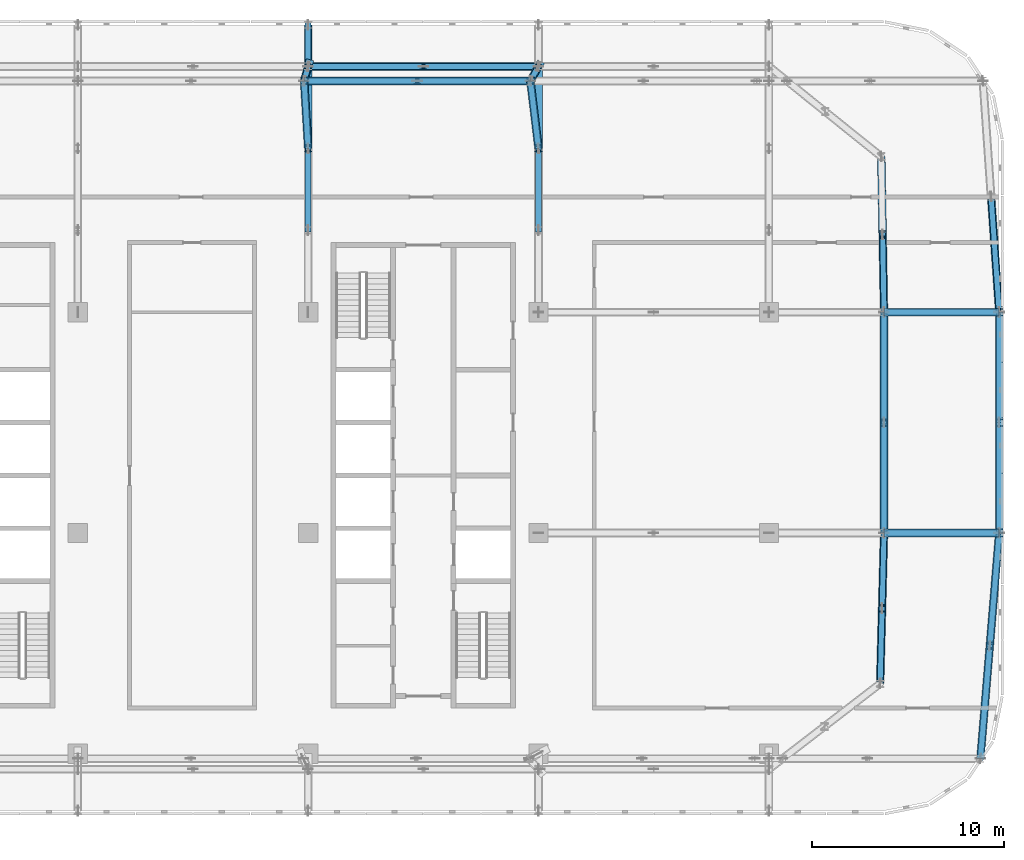
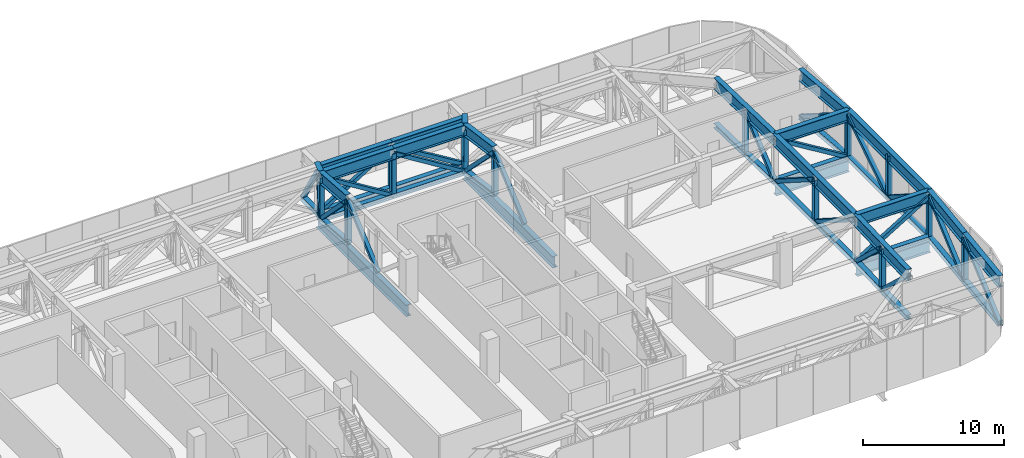
# One storey, part 10 of 29: 68 members, 4 beams.
"""IFC4 building model written with IfcOpenShell, lengths in metres."""

from ifc_helpers import new_model, si_unit, direction, frame, origin, origin_2d, place, context, subcontext, project, spatial, hollow_rectangle, i_section, extrude, material, material_profile, profile_set, type_object, element, save


model = new_model("IFC4")

# Units and contexts
model_context = context("Model", 3, precision=1e-05, world=origin(), true_north=direction((0.0, 1.0)))
body_context = subcontext(model_context, "Body", "Model", "MODEL_VIEW")
ifc_project = project(units=[si_unit("LENGTHUNIT", "METRE"), si_unit("AREAUNIT", "SQUARE_METRE"), si_unit("VOLUMEUNIT", "CUBIC_METRE"), si_unit("PLANEANGLEUNIT", "RADIAN"), si_unit("MASSUNIT", "GRAM", prefix="KILO")], contexts=[model_context])

# Site, building, storey
site_placement = place(None, origin())
site = spatial("IfcSite", under=ifc_project, at=site_placement, CompositionType="ELEMENT")
building_placement = place(site_placement, origin())
building = spatial("IfcBuilding", under=site, at=building_placement, Name="Mahtab Terrace Research Tower", CompositionType="ELEMENT")
storey_placement = place(building_placement, frame((0.0, 0.0, 259.0)))
storey = spatial("IfcBuildingStorey", under=building, at=storey_placement, Name="L63", CompositionType="ELEMENT", Elevation=259.0)

# Members
ifc_material_1 = material(Name="Steel ASTM A500 Gr C", Category="steel")
ifc_material_profile_1 = material_profile(ifc_material_1, hollow_rectangle(XDim=0.3046875, YDim=0.3046875, WallThickness=0.0126953125, at=origin_2d()), Name="HSS12X12X1/2")
ifc_profile_set_1 = profile_set([ifc_material_profile_1], Name="Steel ASTM A500 Gr C")
member_type_1 = type_object("IfcMemberType", Name="HSS 12x12x1/2 brace TD121212", PredefinedType="BRACE", material=ifc_profile_set_1)
member_1_placement = place(storey_placement, frame((18.0, 15.76904296875, -0.19677734375), z_axis=(0.0, 0.759492630748, 0.650515905908), x_axis=(-1.0, 0.0, 0.0)))
element("IfcMember", 1, at=member_1_placement, inside=storey, type_object=member_type_1, Name="Transfer truss T7 diagonal 097", PredefinedType="BRACE", context=body_context, shape_type="SweptSolid", body=[
    extrude(hollow_rectangle(XDim=0.3046875, YDim=0.3046875, WallThickness=0.0126953125, at=origin_2d()), origin(), (0.0, 0.0, 1.0), 5.620849609375),
])
member_2_placement = place(storey_placement, frame((17.7880859375, 23.5458984375, -0.19677734375), z_axis=(0.041785694592, -0.691678410025, 0.720995792521), x_axis=(0.998180173249, 0.060302087304, 0.0)))
element("IfcMember", 2, at=member_2_placement, inside=storey, type_object=member_type_1, Name="Transfer truss T7 diagonal 098", PredefinedType="BRACE", context=body_context, shape_type="SweptSolid", body=[
    extrude(hollow_rectangle(XDim=0.3046875, YDim=0.3046875, WallThickness=0.0126953125, at=origin_2d()), origin(), (0.0, 0.0, 1.0), 5.071533203125),
])
member_3_placement = place(storey_placement, frame((17.7880859375, 23.5458984375, -0.19677734375), z_axis=(0.056648642505, 0.203426058398, 0.97745013687), x_axis=(-0.963345024228, 0.268265473542, 0.0)))
element("IfcMember", 3, at=member_3_placement, inside=storey, type_object=member_type_1, Name="Transfer truss T7 diagonal 099", PredefinedType="BRACE", context=body_context, shape_type="SweptSolid", body=[
    extrude(hollow_rectangle(XDim=0.3046875, YDim=0.3046875, WallThickness=0.0126953125, at=origin_2d()), origin(), (0.0, 0.0, 1.0), 3.740966796875),
])
member_4_placement = place(storey_placement, frame((23.68310546875, 23.5458984375, -0.19677734375), z_axis=(-0.849800540202, 0.0, 0.527104393714), x_axis=(0.0, -1.0, 0.0)))
element("IfcMember", 4, at=member_4_placement, inside=storey, type_object=member_type_1, Name="Transfer truss T7 diagonal 100", PredefinedType="BRACE", context=body_context, shape_type="SweptSolid", body=[
    extrude(hollow_rectangle(XDim=0.3046875, YDim=0.3046875, WallThickness=0.0126953125, at=origin_2d()), origin(), (0.0, 0.0, 1.0), 6.93701171875),
])
member_5_placement = place(storey_placement, frame((18.0, 26.472900390625, -0.19677734375), z_axis=(0.0, -0.50966381265, 0.860373638645), x_axis=(1.0, 0.0, 0.0)))
element("IfcMember", 5, at=member_5_placement, inside=storey, type_object=member_type_1, Name="Transfer truss T7 diagonal 102", PredefinedType="BRACE", context=body_context, shape_type="SweptSolid", body=[
    extrude(hollow_rectangle(XDim=0.3046875, YDim=0.3046875, WallThickness=0.0126953125, at=origin_2d()), origin(), (0.0, 0.0, 1.0), 4.25),
])
member_6_placement = place(storey_placement, frame((29.576904296875, 23.5458984375, -0.19677734375), z_axis=(-0.849751637539, 0.0, 0.527183226686), x_axis=(0.0, -1.0, 0.0)))
element("IfcMember", 6, at=member_6_placement, inside=storey, type_object=member_type_1, Name="Transfer truss T7 diagonal 104", PredefinedType="BRACE", context=body_context, shape_type="SweptSolid", body=[
    extrude(hollow_rectangle(XDim=0.3046875, YDim=0.3046875, WallThickness=0.0126953125, at=origin_2d()), origin(), (0.0, 0.0, 1.0), 6.935791015625),
])
member_7_placement = place(storey_placement, frame((18.0, 24.306884765625, -0.19677734375), z_axis=(0.853925355754, 0.0, 0.520395509974), x_axis=(0.0, 1.0, 0.0)))
element("IfcMember", 7, at=member_7_placement, inside=storey, type_object=member_type_1, Name="Transfer truss T7 diagonal 106", PredefinedType="BRACE", context=body_context, shape_type="SweptSolid", body=[
    extrude(hollow_rectangle(XDim=0.3046875, YDim=0.3046875, WallThickness=0.0126953125, at=origin_2d()), origin(), (0.0, 0.0, 1.0), 7.0263671875),
])
member_8_placement = place(storey_placement, frame((30.0, 15.76904296875, -0.19677734375), z_axis=(0.0, 0.759492630748, 0.650515905908), x_axis=(-1.0, 0.0, 0.0)))
element("IfcMember", 8, at=member_8_placement, inside=storey, type_object=member_type_1, Name="Transfer truss T7 diagonal 115", PredefinedType="BRACE", context=body_context, shape_type="SweptSolid", body=[
    extrude(hollow_rectangle(XDim=0.3046875, YDim=0.3046875, WallThickness=0.0126953125, at=origin_2d()), origin(), (0.0, 0.0, 1.0), 5.620849609375),
])
member_9_placement = place(storey_placement, frame((29.576904296875, 23.5458984375, -0.19677734375), z_axis=(0.083210320693, -0.689882220263, 0.719123469716), x_axis=(0.99280439694, 0.119747356619, 0.0)))
element("IfcMember", 9, at=member_9_placement, inside=storey, type_object=member_type_1, Name="Transfer truss T7 diagonal 116", PredefinedType="BRACE", context=body_context, shape_type="SweptSolid", body=[
    extrude(hollow_rectangle(XDim=0.3046875, YDim=0.3046875, WallThickness=0.0126953125, at=origin_2d()), origin(), (0.0, 0.0, 1.0), 5.084716796875),
])
member_10_placement = place(storey_placement, frame((29.576904296875, 23.5458984375, -0.19677734375), z_axis=(0.112563439792, 0.202458304577, 0.972800137197), x_axis=(-0.873998513962, 0.485928593101, 0.0)))
element("IfcMember", 10, at=member_10_placement, inside=storey, type_object=member_type_1, Name="Transfer truss T7 diagonal 117", PredefinedType="BRACE", context=body_context, shape_type="SweptSolid", body=[
    extrude(hollow_rectangle(XDim=0.3046875, YDim=0.3046875, WallThickness=0.0126953125, at=origin_2d()), origin(), (0.0, 0.0, 1.0), 3.7587890625),
])
member_11_placement = place(storey_placement, frame((30.0, 24.306884765625, -0.19677734375), z_axis=(-0.853925355754, 0.0, 0.520395509974), x_axis=(0.0, -1.0, 0.0)))
element("IfcMember", 11, at=member_11_placement, inside=storey, type_object=member_type_1, Name="Transfer truss T7 diagonal 119", PredefinedType="BRACE", context=body_context, shape_type="SweptSolid", body=[
    extrude(hollow_rectangle(XDim=0.3046875, YDim=0.3046875, WallThickness=0.0126953125, at=origin_2d()), origin(), (0.0, 0.0, 1.0), 7.0263671875),
])
member_12_placement = place(storey_placement, frame((47.89892578125, -3.924072265625, -0.19677734375), z_axis=(-0.018796231783, -0.73146013853, 0.681625093004), x_axis=(0.99966999901, -0.025688384121, 0.0)))
element("IfcMember", 12, at=member_12_placement, inside=storey, type_object=member_type_1, Name="Transfer truss T7 diagonal 150", PredefinedType="BRACE", context=body_context, shape_type="SweptSolid", body=[
    extrude(hollow_rectangle(XDim=0.3046875, YDim=0.3046875, WallThickness=0.0126953125, at=origin_2d()), origin(), (0.0, 0.0, 1.0), 5.3642578125),
])
member_13_placement = place(storey_placement, frame((48.0, 0.0, -0.19677734375), z_axis=(-0.018841099878, -0.7314806723, 0.681601818518), x_axis=(0.999668441044, -0.025748941367, 0.0)))
element("IfcMember", 13, at=member_13_placement, inside=storey, type_object=member_type_1, Name="Transfer truss T7 diagonal 152", PredefinedType="BRACE", context=body_context, shape_type="SweptSolid", body=[
    extrude(hollow_rectangle(XDim=0.3046875, YDim=0.3046875, WallThickness=0.0126953125, at=origin_2d()), origin(), (0.0, 0.0, 1.0), 5.364501953125),
])
member_14_placement = place(storey_placement, frame((48.0, 5.75, -0.19677734375), z_axis=(0.0, -0.843834053446, 0.536604221232), x_axis=(1.0, 0.0, 0.0)))
element("IfcMember", 14, at=member_14_placement, inside=storey, type_object=member_type_1, Name="Transfer truss T7 diagonal 154", PredefinedType="BRACE", context=body_context, shape_type="SweptSolid", body=[
    extrude(hollow_rectangle(XDim=0.3046875, YDim=0.3046875, WallThickness=0.0126953125, at=origin_2d()), origin(), (0.0, 0.0, 1.0), 6.814208984375),
])
member_15_placement = place(storey_placement, frame((48.0, 0.0, -0.19677734375), z_axis=(0.853925355754, 0.0, 0.520395509974), x_axis=(0.0, 1.0, 0.0)))
element("IfcMember", 15, at=member_15_placement, inside=storey, type_object=member_type_1, Name="Transfer truss T7 diagonal 155", PredefinedType="BRACE", context=body_context, shape_type="SweptSolid", body=[
    extrude(hollow_rectangle(XDim=0.3046875, YDim=0.3046875, WallThickness=0.0126953125, at=origin_2d()), origin(), (0.0, 0.0, 1.0), 7.0263671875),
])
member_16_placement = place(storey_placement, frame((48.0, 11.5, -0.19677734375), z_axis=(0.0, -0.843834053446, 0.536604221232), x_axis=(1.0, 0.0, 0.0)))
element("IfcMember", 16, at=member_16_placement, inside=storey, type_object=member_type_1, Name="Transfer truss T7 diagonal 156", PredefinedType="BRACE", context=body_context, shape_type="SweptSolid", body=[
    extrude(hollow_rectangle(XDim=0.3046875, YDim=0.3046875, WallThickness=0.0126953125, at=origin_2d()), origin(), (0.0, 0.0, 1.0), 6.814208984375),
])
member_17_placement = place(storey_placement, frame((48.0, 11.5, -0.19677734375), z_axis=(-0.013192923036, 0.742426153651, 0.669797994291), x_axis=(-0.999842150686, -0.01776720887, 0.0)))
element("IfcMember", 17, at=member_17_placement, inside=storey, type_object=member_type_1, Name="Transfer truss T7 diagonal 157", PredefinedType="BRACE", context=body_context, shape_type="SweptSolid", body=[
    extrude(hollow_rectangle(XDim=0.3046875, YDim=0.3046875, WallThickness=0.0126953125, at=origin_2d()), origin(), (0.0, 0.0, 1.0), 5.458984375),
])
member_18_placement = place(storey_placement, frame((54.0, 11.5, -0.19677734375), z_axis=(-0.853925355754, 0.0, 0.520395509974), x_axis=(0.0, -1.0, 0.0)))
element("IfcMember", 18, at=member_18_placement, inside=storey, type_object=member_type_1, Name="Transfer truss T7 diagonal 158", PredefinedType="BRACE", context=body_context, shape_type="SweptSolid", body=[
    extrude(hollow_rectangle(XDim=0.3046875, YDim=0.3046875, WallThickness=0.0126953125, at=origin_2d()), origin(), (0.0, 0.0, 1.0), 7.0263671875),
])
member_19_placement = place(storey_placement, frame((53.02099609375, -11.758056640625, -0.19677734375), z_axis=(0.070595829546, 0.847044430138, 0.526813023968), x_axis=(-0.996544901991, 0.083055754258, 0.0)))
element("IfcMember", 19, at=member_19_placement, inside=storey, type_object=member_type_1, Name="Transfer truss T7 diagonal 160", PredefinedType="BRACE", context=body_context, shape_type="SweptSolid", body=[
    extrude(hollow_rectangle(XDim=0.3046875, YDim=0.3046875, WallThickness=0.0126953125, at=origin_2d()), origin(), (0.0, 0.0, 1.0), 6.940673828125),
])
member_20_placement = place(storey_placement, frame((53.576904296875, 17.52294921875, -0.19677734375), z_axis=(0.059939828854, -0.853269231296, 0.518014320111), x_axis=(0.997541755211, 0.070074578913, 0.0)))
element("IfcMember", 20, at=member_20_placement, inside=storey, type_object=member_type_1, Name="Transfer truss T7 diagonal 161", PredefinedType="BRACE", context=body_context, shape_type="SweptSolid", body=[
    extrude(hollow_rectangle(XDim=0.3046875, YDim=0.3046875, WallThickness=0.0126953125, at=origin_2d()), origin(), (0.0, 0.0, 1.0), 7.05859375),
])
member_21_placement = place(storey_placement, frame((53.510986328125, -5.87890625, -0.19677734375), z_axis=(0.070457928759, 0.847042897906, 0.526833948585), x_axis=(-0.996558305152, 0.082894779287, 0.0)))
element("IfcMember", 21, at=member_21_placement, inside=storey, type_object=member_type_1, Name="Transfer truss T7 diagonal 162", PredefinedType="BRACE", context=body_context, shape_type="SweptSolid", body=[
    extrude(hollow_rectangle(XDim=0.3046875, YDim=0.3046875, WallThickness=0.0126953125, at=origin_2d()), origin(), (0.0, 0.0, 1.0), 6.9404296875),
])
for number, where, z_axis, x_axis, name in (
    (22, (54.0, 5.75, -0.19677734375), (0.0, -0.843834053446, 0.536604221232), (1.0, 0.0, 0.0), "Transfer truss T7 diagonal 163"),
    (23, (54.0, 5.75, -0.19677734375), (0.0, 0.843834053446, 0.536604221232), (-1.0, 0.0, 0.0), "Transfer truss T7 diagonal 164"),
):
    element("IfcMember", number, at=place(storey_placement, frame(where, z_axis=z_axis, x_axis=x_axis)), inside=storey, type_object=member_type_1, Name=name, PredefinedType="BRACE", context=body_context, shape_type="SweptSolid", body=[
        extrude(hollow_rectangle(XDim=0.3046875, YDim=0.3046875, WallThickness=0.0126953125, at=origin_2d()), origin(), (0.0, 0.0, 1.0), 6.814208984375),
    ])
ifc_material_2 = material(Name="Steel ASTM A992 Gr 50", Category="steel")
ifc_material_profile_2 = material_profile(ifc_material_2, i_section(OverallWidth=0.373291015625, OverallDepth=0.373291015625, WebThickness=0.016357421875, FlangeThickness=0.026123046875, at=origin_2d()), Name="W14X132")
ifc_profile_set_2 = profile_set([ifc_material_profile_2], Name="Steel ASTM A992 Gr 50")
member_type_2 = type_object("IfcMemberType", Name="W14x132 post TP14132", PredefinedType="POST", material=ifc_profile_set_2)
for number, where, z_axis, x_axis, name in (
    (24, (17.7900390625, 23.550048828125, -0.19677734375), (0.0, 0.0, 1.0), (1.0, 0.0, 0.0), "Transfer truss T7 post 083"),
    (25, (18.0, 20.0400390625, -0.19677734375), (0.0, 0.0, 1.0), (1.0, 0.0, 0.0), "Transfer truss T7 post 088"),
    (26, (23.679931640625, 23.550048828125, -0.19677734375), (0.0, 0.0, 1.0), (1.0, 0.0, 0.0), "Transfer truss T7 post 092"),
    (27, (24.0, 24.31005859375, -0.19677734375), (0.0, 0.0, 1.0), (1.0, 0.0, 0.0), "Transfer truss T7 post 094"),
    (28, (29.580078125, 23.550048828125, -0.19677734375), (0.0, 0.0, 1.0), (1.0, 0.0, 0.0), "Transfer truss T7 post 096"),
    (29, (30.0, 20.0400390625, -0.19677734375), (0.0, 0.0, 1.0), (1.0, 0.0, 0.0), "Transfer truss T7 post 103"),
    (30, (47.89990234375, -3.919921875, -0.19677734375), (0.0, 0.0, 1.0), (1.0, 0.0, 0.0), "Transfer truss T7 post 132"),
    (31, (47.929931640625, 15.550048828125, -0.19677734375), (0.0, 0.0, 1.0), (1.0, 0.0, 0.0), "Transfer truss T7 post 133"),
    (32, (48.0, 5.75, -0.19677734375), (0.0, 0.0, 1.0), (1.0, 0.0, 0.0), "Transfer truss T7 post 135"),
    (33, (53.510009765625, -5.8798828125, -0.19677734375), (0.0, 0.0, 1.0), (1.0, 0.0, 0.0), "Transfer truss T7 post 139"),
    (34, (54.0, 0.0, -0.19677734375), (0.0, 0.0, 1.0), (1.0, 0.0, 0.0), "Transfer truss T7 post 141"),
    (35, (54.0, 5.75, -0.19677734375), (0.0, 0.0, 1.0), (1.0, 0.0, 0.0), "Transfer truss T7 post 142"),
    (36, (54.0, 11.5, -0.19677734375), (0.0, 0.0, 1.0), (1.0, 0.0, 0.0), "Transfer truss T7 post 143"),
):
    element("IfcMember", number, at=place(storey_placement, frame(where, z_axis=z_axis, x_axis=x_axis)), inside=storey, type_object=member_type_2, Name=name, PredefinedType="POST", context=body_context, shape_type="SweptSolid", body=[
        extrude(i_section(OverallWidth=0.373291015625, OverallDepth=0.373291015625, WebThickness=0.016357421875, FlangeThickness=0.026123046875, at=origin_2d()), origin(), (0.0, 0.0, 1.0), 3.656494140625),
    ])
ifc_material_profile_3 = material_profile(ifc_material_2, i_section(OverallWidth=0.40380859375, OverallDepth=0.406494140625, WebThickness=0.027099609375, FlangeThickness=0.043701171875, at=origin_2d()), Name="W14X233")
ifc_profile_set_3 = profile_set([ifc_material_profile_3], Name="Steel ASTM A992 Gr 50")
member_type_3 = type_object("IfcMemberType", Name="W14x233 chord TC14233", PredefinedType="CHORD", material=ifc_profile_set_3)
member_22_placement = place(storey_placement, frame((30.0, 24.306884765625, -0.19677734375), z_axis=(-1.0, 0.0, 0.0), x_axis=(0.0, -1.0, 0.0)))
element("IfcMember", 37, at=member_22_placement, inside=storey, type_object=member_type_3, Name="Transfer truss T7 bottom chord 011", PredefinedType="CHORD", context=body_context, shape_type="SweptSolid", body=[
    extrude(i_section(OverallWidth=0.40380859375, OverallDepth=0.406494140625, WebThickness=0.027099609375, FlangeThickness=0.043701171875, at=origin_2d()), origin(), (0.0, 0.0, 1.0), 12.0),
])
member_23_placement = place(storey_placement, frame((17.7880859375, 23.5458984375, -0.19677734375), z_axis=(1.0, 0.0, 0.0), x_axis=(0.0, 1.0, 0.0)))
element("IfcMember", 38, at=member_23_placement, inside=storey, type_object=member_type_3, Name="Transfer truss T7 bottom chord 032", PredefinedType="CHORD", context=body_context, shape_type="SweptSolid", body=[
    extrude(i_section(OverallWidth=0.40380859375, OverallDepth=0.406494140625, WebThickness=0.027099609375, FlangeThickness=0.043701171875, at=origin_2d()), origin(), (0.0, 0.0, 1.0), 11.788818359375),
])
member_24_placement = place(storey_placement, frame((18.0, 20.0380859375, -0.19677734375), z_axis=(-0.060302087304, 0.998180173249, 0.0), x_axis=(-0.998180173249, -0.060302087304, 0.0)))
element("IfcMember", 39, at=member_24_placement, inside=storey, type_object=member_type_3, Name="Transfer truss T7 bottom chord 065", PredefinedType="CHORD", context=body_context, shape_type="SweptSolid", body=[
    extrude(i_section(OverallWidth=0.40380859375, OverallDepth=0.406494140625, WebThickness=0.027099609375, FlangeThickness=0.043701171875, at=origin_2d()), origin(), (0.0, 0.0, 1.0), 3.51416015625),
])
member_25_placement = place(storey_placement, frame((17.7880859375, 23.5458984375, -0.19677734375), z_axis=(0.268265473542, 0.963345024228, 0.0), x_axis=(-0.963345024228, 0.268265473542, 0.0)))
element("IfcMember", 40, at=member_25_placement, inside=storey, type_object=member_type_3, Name="Transfer truss T7 bottom chord 066", PredefinedType="CHORD", context=body_context, shape_type="SweptSolid", body=[
    extrude(i_section(OverallWidth=0.40380859375, OverallDepth=0.406494140625, WebThickness=0.027099609375, FlangeThickness=0.043701171875, at=origin_2d()), origin(), (0.0, 0.0, 1.0), 0.7900390625),
])
member_26_placement = place(storey_placement, frame((18.0, 24.306884765625, -0.19677734375), z_axis=(0.0, 1.0, 0.0), x_axis=(-1.0, 0.0, 0.0)))
element("IfcMember", 41, at=member_26_placement, inside=storey, type_object=member_type_3, Name="Transfer truss T7 bottom chord 069", PredefinedType="CHORD", context=body_context, shape_type="SweptSolid", body=[
    extrude(i_section(OverallWidth=0.40380859375, OverallDepth=0.406494140625, WebThickness=0.027099609375, FlangeThickness=0.043701171875, at=origin_2d()), origin(), (0.0, 0.0, 1.0), 2.166015625),
])
member_27_placement = place(storey_placement, frame((30.0, 20.0380859375, -0.19677734375), z_axis=(-0.119747356619, 0.99280439694, 0.0), x_axis=(-0.99280439694, -0.119747356619, 0.0)))
element("IfcMember", 42, at=member_27_placement, inside=storey, type_object=member_type_3, Name="Transfer truss T7 bottom chord 072", PredefinedType="CHORD", context=body_context, shape_type="SweptSolid", body=[
    extrude(i_section(OverallWidth=0.40380859375, OverallDepth=0.406494140625, WebThickness=0.027099609375, FlangeThickness=0.043701171875, at=origin_2d()), origin(), (0.0, 0.0, 1.0), 3.533203125),
])
member_28_placement = place(storey_placement, frame((29.576904296875, 23.5458984375, -0.19677734375), z_axis=(0.485928593101, 0.873998513962, 0.0), x_axis=(-0.873998513962, 0.485928593101, 0.0)))
element("IfcMember", 43, at=member_28_placement, inside=storey, type_object=member_type_3, Name="Transfer truss T7 bottom chord 073", PredefinedType="CHORD", context=body_context, shape_type="SweptSolid", body=[
    extrude(i_section(OverallWidth=0.40380859375, OverallDepth=0.406494140625, WebThickness=0.027099609375, FlangeThickness=0.043701171875, at=origin_2d()), origin(), (0.0, 0.0, 1.0), 0.87060546875),
])
for number, where, z_axis, x_axis, name in (
    (44, (48.0, 0.0, -0.19677734375), (1.0, 0.0, 0.0), (0.0, 1.0, 0.0), "Transfer truss T7 bottom chord 077"),
    (45, (48.0, 11.5, -0.19677734375), (1.0, 0.0, 0.0), (0.0, 1.0, 0.0), "Transfer truss T7 bottom chord 081"),
):
    element("IfcMember", number, at=place(storey_placement, frame(where, z_axis=z_axis, x_axis=x_axis)), inside=storey, type_object=member_type_3, Name=name, PredefinedType="CHORD", context=body_context, shape_type="SweptSolid", body=[
        extrude(i_section(OverallWidth=0.40380859375, OverallDepth=0.406494140625, WebThickness=0.027099609375, FlangeThickness=0.043701171875, at=origin_2d()), origin(), (0.0, 0.0, 1.0), 6.0),
    ])
member_29_placement = place(storey_placement, frame((47.798095703125, -7.847900390625, -0.19677734375), z_axis=(0.025718663721, 0.999669220461, 0.0), x_axis=(-0.999669220461, 0.025718663721, 0.0)))
element("IfcMember", 46, at=member_29_placement, inside=storey, type_object=member_type_3, Name="Transfer truss T7 bottom chord 090", PredefinedType="CHORD", context=body_context, shape_type="SweptSolid", body=[
    extrude(i_section(OverallWidth=0.40380859375, OverallDepth=0.406494140625, WebThickness=0.027099609375, FlangeThickness=0.043701171875, at=origin_2d()), origin(), (0.0, 0.0, 1.0), 7.8505859375),
])
member_30_placement = place(storey_placement, frame((48.0, 0.0, -0.19677734375), z_axis=(0.0, 1.0, 0.0), x_axis=(-1.0, 0.0, 0.0)))
element("IfcMember", 47, at=member_30_placement, inside=storey, type_object=member_type_3, Name="Transfer truss T7 bottom chord 091", PredefinedType="CHORD", context=body_context, shape_type="SweptSolid", body=[
    extrude(i_section(OverallWidth=0.40380859375, OverallDepth=0.406494140625, WebThickness=0.027099609375, FlangeThickness=0.043701171875, at=origin_2d()), origin(), (0.0, 0.0, 1.0), 11.5),
])
member_31_placement = place(storey_placement, frame((48.0, 11.5, -0.19677734375), z_axis=(-0.017648916441, 0.999844245745, 0.0), x_axis=(-0.999844245745, -0.017648916441, 0.0)))
element("IfcMember", 48, at=member_31_placement, inside=storey, type_object=member_type_3, Name="Transfer truss T7 bottom chord 092", PredefinedType="CHORD", context=body_context, shape_type="SweptSolid", body=[
    extrude(i_section(OverallWidth=0.40380859375, OverallDepth=0.406494140625, WebThickness=0.027099609375, FlangeThickness=0.043701171875, at=origin_2d()), origin(), (0.0, 0.0, 1.0), 8.106201171875),
])
member_32_placement = place(storey_placement, frame((54.0, 0.0, -0.19677734375), z_axis=(-0.082975269256, -0.996551606638, 0.0), x_axis=(0.996551606638, -0.082975269256, 0.0)))
element("IfcMember", 49, at=member_32_placement, inside=storey, type_object=member_type_3, Name="Transfer truss T7 bottom chord 093", PredefinedType="CHORD", context=body_context, shape_type="SweptSolid", body=[
    extrude(i_section(OverallWidth=0.40380859375, OverallDepth=0.406494140625, WebThickness=0.027099609375, FlangeThickness=0.043701171875, at=origin_2d()), origin(), (0.0, 0.0, 1.0), 11.798828125),
])
member_33_placement = place(storey_placement, frame((53.576904296875, 17.52294921875, -0.19677734375), z_axis=(0.070074578913, -0.997541755211, 0.0), x_axis=(0.997541755211, 0.070074578913, 0.0)))
element("IfcMember", 50, at=member_33_placement, inside=storey, type_object=member_type_3, Name="Transfer truss T7 bottom chord 095", PredefinedType="CHORD", context=body_context, shape_type="SweptSolid", body=[
    extrude(i_section(OverallWidth=0.40380859375, OverallDepth=0.406494140625, WebThickness=0.027099609375, FlangeThickness=0.043701171875, at=origin_2d()), origin(), (0.0, 0.0, 1.0), 6.037841796875),
])
member_34_placement = place(storey_placement, frame((54.0, 11.5, -0.19677734375), z_axis=(0.0, -1.0, 0.0), x_axis=(1.0, 0.0, 0.0)))
element("IfcMember", 51, at=member_34_placement, inside=storey, type_object=member_type_3, Name="Transfer truss T7 bottom chord 096", PredefinedType="CHORD", context=body_context, shape_type="SweptSolid", body=[
    extrude(i_section(OverallWidth=0.40380859375, OverallDepth=0.406494140625, WebThickness=0.027099609375, FlangeThickness=0.043701171875, at=origin_2d()), origin(), (0.0, 0.0, 1.0), 11.5),
])
ifc_material_profile_4 = material_profile(ifc_material_2, i_section(OverallWidth=0.4013671875, OverallDepth=1.000732421875, WebThickness=0.01904296875, FlangeThickness=0.0361328125, at=origin_2d()), Name="W40X249")
ifc_profile_set_4 = profile_set([ifc_material_profile_4], Name="Steel ASTM A992 Gr 50")
member_type_4 = type_object("IfcMemberType", Name="W40x249 chord TT40249", PredefinedType="CHORD", material=ifc_profile_set_4)
for number, where, z_axis, x_axis, name in (
    (52, (30.0, 24.306884765625, 3.459716796875), (-1.0, 0.0, 0.0), (0.0, -1.0, 0.0), "Transfer truss T7 top chord 014"),
    (53, (24.0, 24.306884765625, 3.459716796875), (-1.0, 0.0, 0.0), (0.0, -1.0, 0.0), "Transfer truss T7 top chord 015"),
):
    element("IfcMember", number, at=place(storey_placement, frame(where, z_axis=z_axis, x_axis=x_axis)), inside=storey, type_object=member_type_4, Name=name, PredefinedType="CHORD", context=body_context, shape_type="SweptSolid", body=[
        extrude(i_section(OverallWidth=0.4013671875, OverallDepth=1.000732421875, WebThickness=0.01904296875, FlangeThickness=0.0361328125, at=origin_2d()), origin(), (0.0, 0.0, 1.0), 6.0),
    ])
member_35_placement = place(storey_placement, frame((17.7880859375, 23.5458984375, 3.459716796875), z_axis=(1.0, 0.0, 0.0), x_axis=(0.0, 1.0, 0.0)))
element("IfcMember", 54, at=member_35_placement, inside=storey, type_object=member_type_4, Name="Transfer truss T7 top chord 051", PredefinedType="CHORD", context=body_context, shape_type="SweptSolid", body=[
    extrude(i_section(OverallWidth=0.4013671875, OverallDepth=1.000732421875, WebThickness=0.01904296875, FlangeThickness=0.0361328125, at=origin_2d()), origin(), (0.0, 0.0, 1.0), 5.89501953125),
])
member_36_placement = place(storey_placement, frame((23.68310546875, 23.5458984375, 3.459716796875), z_axis=(1.0, 0.0, 0.0), x_axis=(0.0, 1.0, 0.0)))
element("IfcMember", 55, at=member_36_placement, inside=storey, type_object=member_type_4, Name="Transfer truss T7 top chord 052", PredefinedType="CHORD", context=body_context, shape_type="SweptSolid", body=[
    extrude(i_section(OverallWidth=0.4013671875, OverallDepth=1.000732421875, WebThickness=0.01904296875, FlangeThickness=0.0361328125, at=origin_2d()), origin(), (0.0, 0.0, 1.0), 5.893798828125),
])
member_37_placement = place(storey_placement, frame((18.0, 20.0380859375, 3.459716796875), z_axis=(-0.060302087304, 0.998180173249, 0.0), x_axis=(-0.998180173249, -0.060302087304, 0.0)))
element("IfcMember", 56, at=member_37_placement, inside=storey, type_object=member_type_4, Name="Transfer truss T7 top chord 091", PredefinedType="CHORD", context=body_context, shape_type="SweptSolid", body=[
    extrude(i_section(OverallWidth=0.4013671875, OverallDepth=1.000732421875, WebThickness=0.01904296875, FlangeThickness=0.0361328125, at=origin_2d()), origin(), (0.0, 0.0, 1.0), 3.51416015625),
])
member_38_placement = place(storey_placement, frame((17.7880859375, 23.5458984375, 3.459716796875), z_axis=(0.268300141436, 0.963335369487, 0.0), x_axis=(-0.963335369487, 0.268300141436, 0.0)))
element("IfcMember", 57, at=member_38_placement, inside=storey, type_object=member_type_4, Name="Transfer truss T7 top chord 092", PredefinedType="CHORD", context=body_context, shape_type="SweptSolid", body=[
    extrude(i_section(OverallWidth=0.4013671875, OverallDepth=1.000732421875, WebThickness=0.01904296875, FlangeThickness=0.0361328125, at=origin_2d()), origin(), (0.0, 0.0, 1.0), 1.151123046875),
])
member_39_placement = place(storey_placement, frame((30.0, 20.0380859375, 3.459716796875), z_axis=(-0.119747356619, 0.99280439694, 0.0), x_axis=(-0.99280439694, -0.119747356619, 0.0)))
element("IfcMember", 58, at=member_39_placement, inside=storey, type_object=member_type_4, Name="Transfer truss T7 top chord 098", PredefinedType="CHORD", context=body_context, shape_type="SweptSolid", body=[
    extrude(i_section(OverallWidth=0.4013671875, OverallDepth=1.000732421875, WebThickness=0.01904296875, FlangeThickness=0.0361328125, at=origin_2d()), origin(), (0.0, 0.0, 1.0), 3.533203125),
])
member_40_placement = place(storey_placement, frame((29.576904296875, 23.5458984375, 3.459716796875), z_axis=(0.485895016317, 0.874017181249, 0.0), x_axis=(-0.874017181249, 0.485895016317, 0.0)))
element("IfcMember", 59, at=member_40_placement, inside=storey, type_object=member_type_4, Name="Transfer truss T7 top chord 099", PredefinedType="CHORD", context=body_context, shape_type="SweptSolid", body=[
    extrude(i_section(OverallWidth=0.4013671875, OverallDepth=1.000732421875, WebThickness=0.01904296875, FlangeThickness=0.0361328125, at=origin_2d()), origin(), (0.0, 0.0, 1.0), 1.151123046875),
])
for number, where, z_axis, x_axis, name in (
    (60, (48.0, 0.0, 3.459716796875), (1.0, 0.0, 0.0), (0.0, 1.0, 0.0), "Transfer truss T7 top chord 104"),
    (61, (48.0, 11.5, 3.459716796875), (1.0, 0.0, 0.0), (0.0, 1.0, 0.0), "Transfer truss T7 top chord 109"),
):
    element("IfcMember", number, at=place(storey_placement, frame(where, z_axis=z_axis, x_axis=x_axis)), inside=storey, type_object=member_type_4, Name=name, PredefinedType="CHORD", context=body_context, shape_type="SweptSolid", body=[
        extrude(i_section(OverallWidth=0.4013671875, OverallDepth=1.000732421875, WebThickness=0.01904296875, FlangeThickness=0.0361328125, at=origin_2d()), origin(), (0.0, 0.0, 1.0), 6.0),
    ])
member_41_placement = place(storey_placement, frame((47.798095703125, -7.847900390625, 3.459716796875), z_axis=(0.025718663721, 0.999669220461, 0.0), x_axis=(-0.999669220461, 0.025718663721, 0.0)))
element("IfcMember", 62, at=member_41_placement, inside=storey, type_object=member_type_4, Name="Transfer truss T7 top chord 118", PredefinedType="CHORD", context=body_context, shape_type="SweptSolid", body=[
    extrude(i_section(OverallWidth=0.4013671875, OverallDepth=1.000732421875, WebThickness=0.01904296875, FlangeThickness=0.0361328125, at=origin_2d()), origin(), (0.0, 0.0, 1.0), 7.8505859375),
])
member_42_placement = place(storey_placement, frame((48.0, 0.0, 3.459716796875), z_axis=(0.0, 1.0, 0.0), x_axis=(-1.0, 0.0, 0.0)))
element("IfcMember", 63, at=member_42_placement, inside=storey, type_object=member_type_4, Name="Transfer truss T7 top chord 119", PredefinedType="CHORD", context=body_context, shape_type="SweptSolid", body=[
    extrude(i_section(OverallWidth=0.4013671875, OverallDepth=1.000732421875, WebThickness=0.01904296875, FlangeThickness=0.0361328125, at=origin_2d()), origin(), (0.0, 0.0, 1.0), 11.5),
])
member_43_placement = place(storey_placement, frame((48.0, 11.5, 3.459716796875), z_axis=(-0.017648916441, 0.999844245745, 0.0), x_axis=(-0.999844245745, -0.017648916441, 0.0)))
element("IfcMember", 64, at=member_43_placement, inside=storey, type_object=member_type_4, Name="Transfer truss T7 top chord 120", PredefinedType="CHORD", context=body_context, shape_type="SweptSolid", body=[
    extrude(i_section(OverallWidth=0.4013671875, OverallDepth=1.000732421875, WebThickness=0.01904296875, FlangeThickness=0.0361328125, at=origin_2d()), origin(), (0.0, 0.0, 1.0), 8.106201171875),
])
member_44_placement = place(storey_placement, frame((54.0, 0.0, 3.459716796875), z_axis=(-0.082894779287, -0.996558305152, 0.0), x_axis=(0.996558305152, -0.082894779287, 0.0)))
element("IfcMember", 65, at=member_44_placement, inside=storey, type_object=member_type_4, Name="Transfer truss T7 top chord 121", PredefinedType="CHORD", context=body_context, shape_type="SweptSolid", body=[
    extrude(i_section(OverallWidth=0.4013671875, OverallDepth=1.000732421875, WebThickness=0.01904296875, FlangeThickness=0.0361328125, at=origin_2d()), origin(), (0.0, 0.0, 1.0), 5.899169921875),
])
member_45_placement = place(storey_placement, frame((53.510986328125, -5.87890625, 3.459716796875), z_axis=(-0.083055754258, -0.996544901991, 0.0), x_axis=(0.996544901991, -0.083055754258, 0.0)))
element("IfcMember", 66, at=member_45_placement, inside=storey, type_object=member_type_4, Name="Transfer truss T7 top chord 122", PredefinedType="CHORD", context=body_context, shape_type="SweptSolid", body=[
    extrude(i_section(OverallWidth=0.4013671875, OverallDepth=1.000732421875, WebThickness=0.01904296875, FlangeThickness=0.0361328125, at=origin_2d()), origin(), (0.0, 0.0, 1.0), 5.8994140625),
])
member_46_placement = place(storey_placement, frame((53.576904296875, 17.52294921875, 3.459716796875), z_axis=(0.070074578913, -0.997541755211, 0.0), x_axis=(0.997541755211, 0.070074578913, 0.0)))
element("IfcMember", 67, at=member_46_placement, inside=storey, type_object=member_type_4, Name="Transfer truss T7 top chord 124", PredefinedType="CHORD", context=body_context, shape_type="SweptSolid", body=[
    extrude(i_section(OverallWidth=0.4013671875, OverallDepth=1.000732421875, WebThickness=0.01904296875, FlangeThickness=0.0361328125, at=origin_2d()), origin(), (0.0, 0.0, 1.0), 6.037841796875),
])
member_47_placement = place(storey_placement, frame((54.0, 11.5, 3.459716796875), z_axis=(0.0, -1.0, 0.0), x_axis=(1.0, 0.0, 0.0)))
element("IfcMember", 68, at=member_47_placement, inside=storey, type_object=member_type_4, Name="Transfer truss T7 top chord 125", PredefinedType="CHORD", context=body_context, shape_type="SweptSolid", body=[
    extrude(i_section(OverallWidth=0.4013671875, OverallDepth=1.000732421875, WebThickness=0.01904296875, FlangeThickness=0.0361328125, at=origin_2d()), origin(), (0.0, 0.0, 1.0), 11.5),
])

# Beams
ifc_material_profile_5 = material_profile(ifc_material_2, i_section(OverallWidth=0.4013671875, OverallDepth=1.000732421875, WebThickness=0.01904296875, FlangeThickness=0.0361328125, at=origin_2d()), Name="W40X249")
ifc_profile_set_5 = profile_set([ifc_material_profile_5], Name="Steel ASTM A992 Gr 50")
beam_type = type_object("IfcBeamType", Name="W40x249 transfer girder TG40249", PredefinedType="BEAM", material=ifc_profile_set_5)
for number, where, z_axis, x_axis, name in (
    (69, (30.0, 11.5, -0.8984375), (0.0, 1.0, 0.0), (-1.0, 0.0, 0.0), "Transfer girder T7 03"),
    (70, (18.0, 11.5, -0.8984375), (0.0, 1.0, 0.0), (-1.0, 0.0, 0.0), "Transfer girder T7 05"),
):
    element("IfcBeam", number, at=place(storey_placement, frame(where, z_axis=z_axis, x_axis=x_axis)), inside=storey, type_object=beam_type, Name=name, PredefinedType="BEAM", context=body_context, shape_type="SweptSolid", body=[
        extrude(i_section(OverallWidth=0.4013671875, OverallDepth=1.000732421875, WebThickness=0.01904296875, FlangeThickness=0.0361328125, at=origin_2d()), origin(), (0.0, 0.0, 1.0), 12.806884765625),
    ])
for number, where, z_axis, x_axis, name in (
    (71, (48.0, 0.0, -0.8984375), (1.0, 0.0, 0.0), (0.0, 1.0, 0.0), "Transfer girder T7 35"),
    (72, (48.0, 11.5, -0.8984375), (1.0, 0.0, 0.0), (0.0, 1.0, 0.0), "Transfer girder T7 38"),
):
    element("IfcBeam", number, at=place(storey_placement, frame(where, z_axis=z_axis, x_axis=x_axis)), inside=storey, type_object=beam_type, Name=name, PredefinedType="BEAM", context=body_context, shape_type="SweptSolid", body=[
        extrude(i_section(OverallWidth=0.4013671875, OverallDepth=1.000732421875, WebThickness=0.01904296875, FlangeThickness=0.0361328125, at=origin_2d()), origin(), (0.0, 0.0, 1.0), 6.0),
    ])

save(model, "model.ifc")
